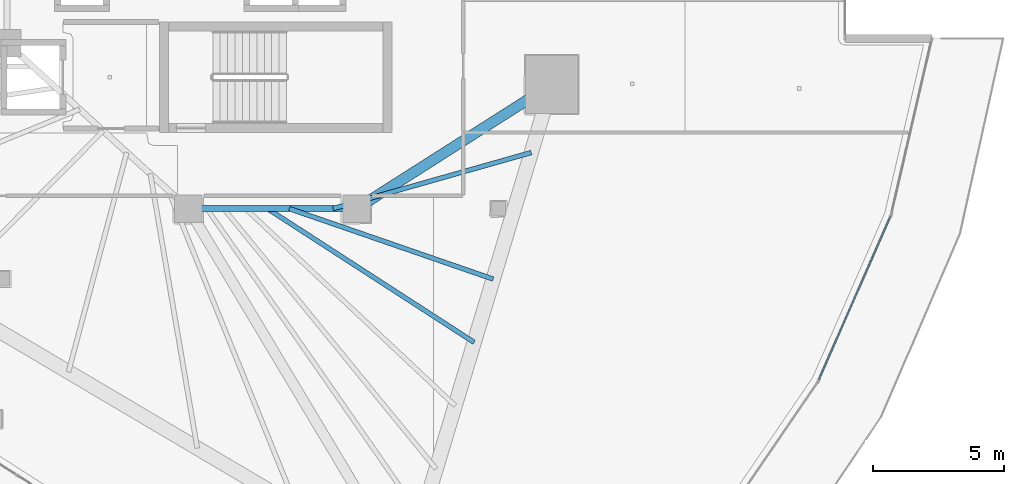
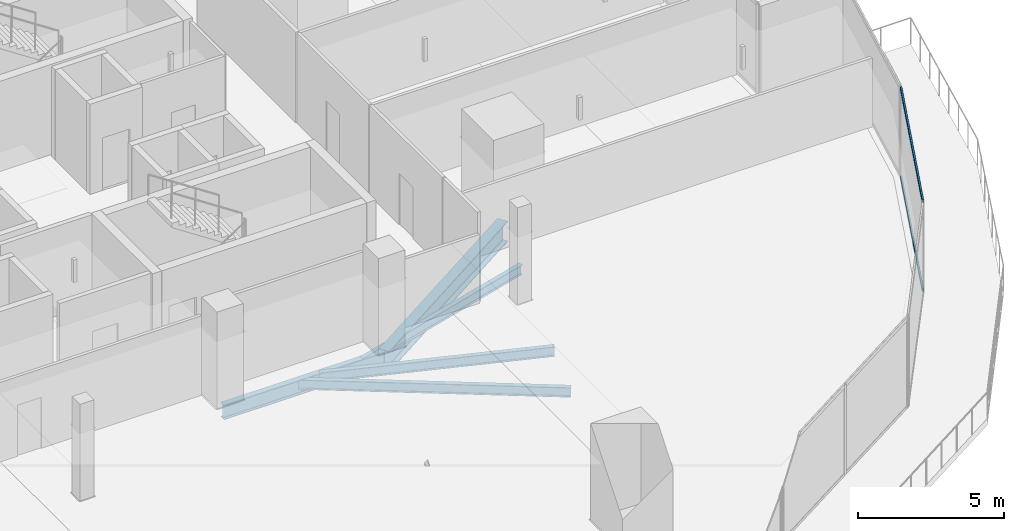
# One storey, part 9 of 35: 5 beams, 2 members, 1 element without a shape of its own.
"""IFC4 building model written with IfcOpenShell, lengths in metres."""

from ifc_helpers import new_model, si_unit, direction, frame, origin, origin_2d, place, context, subcontext, project, spatial, hollow_rectangle, i_section, extrude, material, layer, layer_set, material_profile, profile_set, type_object, element, aggregate, save


model = new_model("IFC4")

# Units and contexts
model_context = context("Model", 3, precision=1e-05, world=origin(), true_north=direction((0.0, 1.0)))
body_context = subcontext(model_context, "Body", "Model", "MODEL_VIEW")
ifc_project = project(units=[si_unit("LENGTHUNIT", "METRE"), si_unit("AREAUNIT", "SQUARE_METRE"), si_unit("VOLUMEUNIT", "CUBIC_METRE"), si_unit("PLANEANGLEUNIT", "RADIAN"), si_unit("MASSUNIT", "GRAM", prefix="KILO")], contexts=[model_context])

# Site, building, storey
site_placement = place(None, origin())
site = spatial("IfcSite", under=ifc_project, at=site_placement, CompositionType="ELEMENT")
building_placement = place(site_placement, origin())
building = spatial("IfcBuilding", under=site, at=building_placement, Name="Qorvath Tower", CompositionType="ELEMENT")
storey_placement = place(building_placement, frame((0.0, 0.0, 130.050048828125)))
storey = spatial("IfcBuildingStorey", under=building, at=storey_placement, Name="L29", CompositionType="ELEMENT", Elevation=130.050048828125)

# Beams
ifc_material_1 = material(Name="Steel ASTM A992 Grade 50", Category="steel")
ifc_material_profile_1 = material_profile(ifc_material_1, i_section(OverallWidth=0.39892578125, OverallDepth=0.85498046875, WebThickness=0.018310546875, FlangeThickness=0.029296875, FilletRadius=0.02001953125, at=origin_2d()), Name="W33x201")
ifc_profile_set_1 = profile_set([ifc_material_profile_1], Name="Steel ASTM A992 Grade 50")
beam_type_1 = type_object("IfcBeamType", Name="BM-FG2", PredefinedType="BEAM", material=ifc_profile_set_1)
beam_1_placement = place(storey_placement, frame((-17.199951171875, -11.449951171875, -0.70751953125), z_axis=(0.843634090834, 0.536918542037, 0.0), x_axis=(-0.536918542037, 0.843634090834, 0.0)))
element("IfcBeam", 1, at=beam_1_placement, inside=storey, type_object=beam_type_1, Name="Radial Floor Girder CC3-MC4 L29", PredefinedType="BEAM", context=body_context, shape_type="SweptSolid", body=[
    extrude(i_section(OverallWidth=0.39892578125, OverallDepth=0.85498046875, WebThickness=0.018310546875, FlangeThickness=0.029296875, FilletRadius=0.02001953125, at=origin_2d()), origin(), (0.0, 0.0, 1.0), 8.806884765625),
])
ifc_material_2 = material(Name="Steel ASTM A992 Grade 50", Category="steel")
ifc_material_profile_2 = material_profile(ifc_material_2, i_section(OverallWidth=0.22998046875, OverallDepth=0.616943359375, WebThickness=0.01318359375, FlangeThickness=0.022216796875, FilletRadius=0.014892578125, at=origin_2d()), Name="W24x94")
ifc_profile_set_2 = profile_set([ifc_material_profile_2], Name="Steel ASTM A992 Grade 50")
beam_type_2 = type_object("IfcBeamType", Name="BM-FG6", PredefinedType="BEAM", material=ifc_profile_set_2)
beam_2_placement = place(storey_placement, frame((-17.199951171875, -11.449951171875, -0.588623046875), z_axis=(-1.0, 0.0, 0.0), x_axis=(0.0, -1.0, 0.0)))
element("IfcBeam", 2, at=beam_2_placement, inside=storey, type_object=beam_type_2, Name="Core Ring Girder CC3-CC4 L29", PredefinedType="BEAM", context=body_context, shape_type="SweptSolid", body=[
    extrude(i_section(OverallWidth=0.22998046875, OverallDepth=0.616943359375, WebThickness=0.01318359375, FlangeThickness=0.022216796875, FilletRadius=0.014892578125, at=origin_2d()), origin(), (0.0, 0.0, 1.0), 6.400146484375),
])
ifc_material_3 = material(Name="Steel ASTM A992 Grade 50", Category="steel")
ifc_material_profile_3 = material_profile(ifc_material_3, i_section(OverallWidth=0.177978515625, OverallDepth=0.406005859375, WebThickness=0.0078125, FlangeThickness=0.0126953125, FilletRadius=0.010986328125, at=origin_2d()), Name="W16x40")
ifc_profile_set_3 = profile_set([ifc_material_profile_3], Name="Steel ASTM A992 Grade 50")
beam_type_3 = type_object("IfcBeamType", Name="BM-FJ3", PredefinedType="JOIST", material=ifc_profile_set_3)
beam_3_placement = place(storey_placement, frame((-18.095947265625, -11.449951171875, -0.483154296875), z_axis=(0.962222206221, 0.272265359264, 0.0), x_axis=(-0.272265359264, 0.962222206221, 0.0)))
element("IfcBeam", 3, at=beam_3_placement, inside=storey, type_object=beam_type_3, Name="Composite Floor Joist SE1 L29", PredefinedType="JOIST", context=body_context, shape_type="SweptSolid", body=[
    extrude(i_section(OverallWidth=0.177978515625, OverallDepth=0.406005859375, WebThickness=0.0078125, FlangeThickness=0.0126953125, FilletRadius=0.010986328125, at=origin_2d()), origin(), (0.0, 0.0, 1.0), 7.841552734375),
])
beam_4_placement = place(storey_placement, frame((-19.760009765625, -11.449951171875, -0.483154296875), z_axis=(0.945168345309, -0.326583525342, 0.0), x_axis=(0.326583525342, 0.945168345309, 0.0)))
element("IfcBeam", 4, at=beam_4_placement, inside=storey, type_object=beam_type_3, Name="Composite Floor Joist SE3 L29", PredefinedType="JOIST", context=body_context, shape_type="SweptSolid", body=[
    extrude(i_section(OverallWidth=0.177978515625, OverallDepth=0.406005859375, WebThickness=0.0078125, FlangeThickness=0.0126953125, FilletRadius=0.010986328125, at=origin_2d()), origin(), (0.0, 0.0, 1.0), 8.21044921875),
])
beam_5_placement = place(storey_placement, frame((-20.592041015625, -11.449951171875, -0.483154296875), z_axis=(0.839630966809, -0.543157288062, 0.0), x_axis=(0.543157288062, 0.839630966809, 0.0)))
element("IfcBeam", 5, at=beam_5_placement, inside=storey, type_object=beam_type_3, Name="Composite Floor Joist SE4 L29", PredefinedType="JOIST", context=body_context, shape_type="SweptSolid", body=[
    extrude(i_section(OverallWidth=0.177978515625, OverallDepth=0.406005859375, WebThickness=0.0078125, FlangeThickness=0.0126953125, FilletRadius=0.010986328125, at=origin_2d()), origin(), (0.0, 0.0, 1.0), 9.370361328125),
])

# Curtain wall, members
ifc_material_4 = material(Name="Anodised aluminium and triple low-E glass", Category="aluminium")
ifc_layer = layer(ifc_material_4, 0.179931640625)
ifc_layer_set = layer_set([ifc_layer], Name="CW-SYS-2")
curtain_wall_type = type_object("IfcCurtainWallType", Name="CW-SYS-2", PredefinedType="NOTDEFINED", material=ifc_layer_set)
curtain_wall_placement = place(storey_placement, origin())
curtain_wall = element("IfcCurtainWall", 6, at=curtain_wall_placement, inside=storey, type_object=curtain_wall_type, Name="Curtain Wall CW-2 CW-T-L29-6.1", PredefinedType="NOTDEFINED")
ifc_material_5 = material(Name="Anodised aluminium 6063-T6", Category="aluminium")
ifc_material_profile_4 = material_profile(ifc_material_5, hollow_rectangle(XDim=0.06494140625, YDim=0.159912109375, WallThickness=0.00341796875, InnerFilletRadius=0.00341796875, OuterFilletRadius=0.007080078125, at=origin_2d()), Name="CWT 160x65")
ifc_profile_set_4 = profile_set([ifc_material_profile_4], Name="Anodised aluminium 6063-T6")
member_type = type_object("IfcMemberType", Name="CWT-160", PredefinedType="USERDEFINED", material=ifc_profile_set_4)
member_1_placement = place(storey_placement, frame((0.3984375, -17.952880859375, 0.032470703125), z_axis=(0.40165088522, 0.91579286217, 0.0), x_axis=(-0.91579286217, 0.40165088522, 0.0)))
member_1 = element("IfcMember", 7, at=member_1_placement, type_object=member_type, Name="CW-2 transom 1.1", ObjectType="TRANSOM", PredefinedType="USERDEFINED", context=body_context, shape_type="SweptSolid", body=[
    extrude(hollow_rectangle(XDim=0.06494140625, YDim=0.159912109375, WallThickness=0.00341796875, InnerFilletRadius=0.00341796875, OuterFilletRadius=0.007080078125, at=origin_2d()), origin(), (0.0, 0.0, 1.0), 6.771484375),
])
member_2_placement = place(storey_placement, frame((0.3984375, -17.952880859375, 3.74755859375), z_axis=(0.40165088522, 0.91579286217, 0.0), x_axis=(-0.91579286217, 0.40165088522, 0.0)))
member_2 = element("IfcMember", 8, at=member_2_placement, type_object=member_type, Name="CW-2 transom 1.2", ObjectType="TRANSOM", PredefinedType="USERDEFINED", context=body_context, shape_type="SweptSolid", body=[
    extrude(hollow_rectangle(XDim=0.06494140625, YDim=0.159912109375, WallThickness=0.00341796875, InnerFilletRadius=0.00341796875, OuterFilletRadius=0.007080078125, at=origin_2d()), origin(), (0.0, 0.0, 1.0), 6.771484375),
])
aggregate(curtain_wall, [member_1, member_2])

save(model, "model.ifc")
